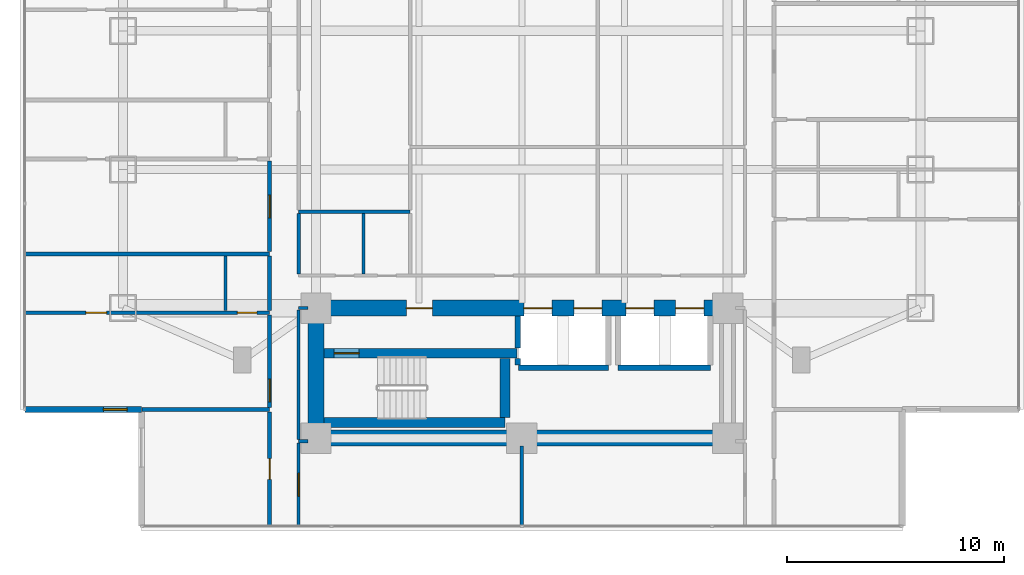
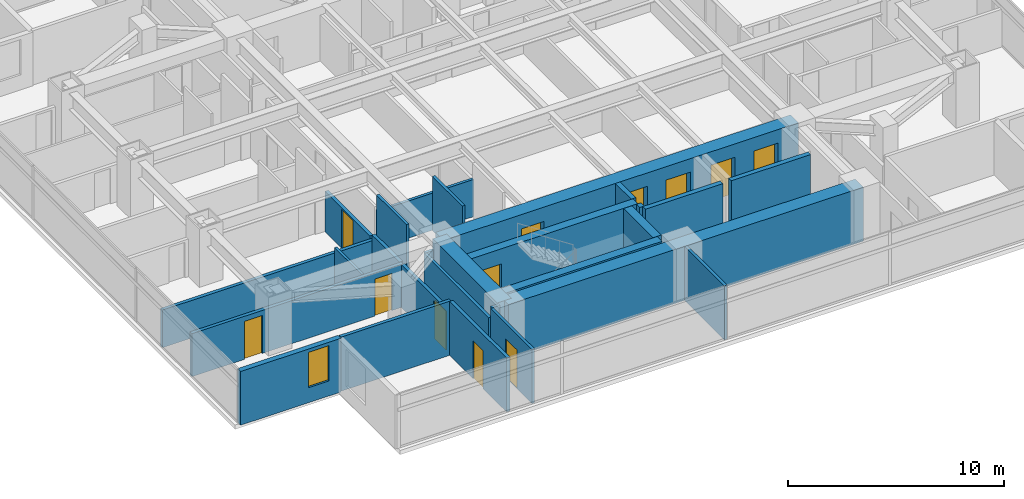
# One storey, part 14 of 26: 27 walls, 12 doors, 1 window, 13 openings.
"""IFC4 building model written with IfcOpenShell, lengths in metres."""

import ifcopenshell
import ifcopenshell.guid

model = None  # the IFC model being written
_history = None  # IfcOwnerHistory: only IFC2X3 demands one
_inside = {}  # id of a spatial element -> (the spatial element, [elements in it])
_under = {}  # id of a project, library or spatial element -> (it, [spatial elements below it])
_declared = {}  # id of a project -> (the project, [libraries it declares])
_typed = {}  # id of a type object -> (the type object, [elements of that type])
_made_of = {}  # id of a material, layer set ... -> (it, [elements and type objects made of it])


def new_model(schema):
    """Start an empty IFC model of exactly this schema.

    Asked for "IFC4X3", IfcOpenShell would pick the latest addendum, in which some entities
    have other attributes; the version numbers below select the first issue.
    IFC2X3 requires an IfcOwnerHistory on every rooted entity: one is made here for all.
    """
    global model, _history
    if schema == "IFC4X3":
        model = ifcopenshell.file(schema_version=(4, 3, 0, 0))
    else:
        model = ifcopenshell.file(schema=schema)
    _inside.clear()
    _under.clear()
    _declared.clear()
    _typed.clear()
    _made_of.clear()
    _history = None
    if model.schema == "IFC2X3":
        org = make("IfcOrganization", Name="unknown")
        user = make(
            "IfcPersonAndOrganization",
            ThePerson=make("IfcPerson", FamilyName="unknown"),
            TheOrganization=org,
        )
        app = make(
            "IfcApplication",
            ApplicationDeveloper=org,
            Version="unknown",
            ApplicationFullName="unknown",
            ApplicationIdentifier="unknown",
        )
        _history = make(
            "IfcOwnerHistory",
            OwningUser=user,
            OwningApplication=app,
            ChangeAction="ADDED",
            CreationDate=0,
        )
    return model


def make(cls, **values):
    """One entity of the class cls with the attributes given. An attribute that is None is left unset."""
    return model.create_entity(
        cls, **{name: value for name, value in values.items() if value is not None}
    )


def rooted(cls, **values):
    """An entity with a GlobalId (a new one), such as an element, a storey or a relation."""
    return make(cls, GlobalId=ifcopenshell.guid.new(), OwnerHistory=_history, **values)


def si_unit(unit_type, name, prefix=None):
    """IfcSIUnit, for example si_unit("LENGTHUNIT", "METRE", prefix="MILLI")."""
    return make("IfcSIUnit", UnitType=unit_type, Prefix=prefix, Name=name)


def assignment(units):
    """IfcUnitAssignment: the units of a project."""
    return None if units is None else make("IfcUnitAssignment", Units=units)


def point(xyz):
    """IfcCartesianPoint."""
    return None if xyz is None else make("IfcCartesianPoint", Coordinates=xyz)


def direction(xyz):
    """IfcDirection."""
    return None if xyz is None else make("IfcDirection", DirectionRatios=xyz)


def frame(location, z_axis=None, x_axis=None):
    """IfcAxis2Placement3D, a coordinate frame: its origin and axes. An axis left out is left unset."""
    return make(
        "IfcAxis2Placement3D",
        Location=point(location),
        Axis=direction(z_axis),
        RefDirection=direction(x_axis),
    )


def frame_2d(location, x_axis=None):
    """IfcAxis2Placement2D, a coordinate frame in the plane: its origin and x axis."""
    return make(
        "IfcAxis2Placement2D", Location=point(location), RefDirection=direction(x_axis)
    )


def origin():
    """The frame at (0, 0, 0) with its axes left unset."""
    return frame((0.0, 0.0, 0.0))


def place(relative_to, where):
    """IfcLocalPlacement: puts the frame where relative to a parent placement (None: the world)."""
    return make(
        "IfcLocalPlacement", PlacementRelTo=relative_to, RelativePlacement=where
    )


def context(
    kind, dimensions, precision=None, world=None, true_north=None, identifier=None
):
    """IfcGeometricRepresentationContext, for example the 3D "Model" context."""
    return make(
        "IfcGeometricRepresentationContext",
        ContextIdentifier=identifier,
        ContextType=kind,
        CoordinateSpaceDimension=dimensions,
        Precision=precision,
        WorldCoordinateSystem=world,
        TrueNorth=true_north,
    )


def subcontext(parent, identifier, kind, view, scale=None):
    """IfcGeometricRepresentationSubContext, for example "Body" below "Model"."""
    return make(
        "IfcGeometricRepresentationSubContext",
        ContextIdentifier=identifier,
        ContextType=kind,
        ParentContext=parent,
        TargetScale=scale,
        TargetView=view,
    )


def project(units=None, contexts=None):
    """IfcProject with its units and contexts."""
    return rooted(
        "IfcProject",
        Name="project",
        RepresentationContexts=contexts,
        UnitsInContext=assignment(units),
    )


def spatial(cls, under=None, at=None, **own):
    """A site, building, storey or space (cls), placed at a placement, below another one or the project."""
    s = rooted(cls, ObjectPlacement=at, **own)
    if under is not None:
        _under.setdefault(under.id(), (under, []))[1].append(s)
    return s


def profile(cls, at=None, kind="AREA", **sizes):
    """A parametric profile (cls). Its sizes go by their IFC names, for example OverallWidth=200.0."""
    return make(cls, ProfileType=kind, Position=at, **sizes)


def rectangle(**sizes):
    """IfcRectangleProfileDef."""
    return profile("IfcRectangleProfileDef", **sizes)


def extrude(swept, where, along, depth):
    """IfcExtrudedAreaSolid: the profile swept, set in the frame where, extruded along a direction by depth."""
    return make(
        "IfcExtrudedAreaSolid",
        SweptArea=swept,
        Position=where,
        ExtrudedDirection=direction(along),
        Depth=depth,
    )


def shape(context_of_items, identifier, shape_type, items):
    """IfcShapeRepresentation: the items that make up one representation, for example the "Body"."""
    return make(
        "IfcShapeRepresentation",
        ContextOfItems=context_of_items,
        RepresentationIdentifier=identifier,
        RepresentationType=shape_type,
        Items=items,
    )


def material(Name=None, Category=None):
    """IfcMaterial."""
    return make("IfcMaterial", Name=Name, Category=Category)


def layer(
    of_material, thickness, ventilated=None, Name=None, Category=None, Priority=None
):
    """IfcMaterialLayer: one layer of a wall or slab, of a material (None: an air gap)."""
    return make(
        "IfcMaterialLayer",
        Material=of_material,
        LayerThickness=thickness,
        IsVentilated=ventilated,
        Name=Name,
        Category=Category,
        Priority=Priority,
    )


def layer_set(layers, Name=None):
    """IfcMaterialLayerSet."""
    return make("IfcMaterialLayerSet", MaterialLayers=layers, LayerSetName=Name)


def made_of(thing, what):
    """Note that an element or type object is made of a material, layer set ...; save() writes the relation."""
    if what is not None:
        _made_of.setdefault(what.id(), (what, []))[1].append(thing)
    return thing


def type_object(cls, material=None, **own):
    """A type object (cls), such as IfcWallType, which elements share."""
    return made_of(rooted(cls, **own), material)


def element(
    cls,
    number,
    at=None,
    inside=None,
    cuts=None,
    type_object=None,
    material=None,
    context=None,
    identifier="Body",
    shape_type=None,
    held_by="IfcProductDefinitionShape",
    body=None,
    shapes=None,
    **own,
):
    """One element of the class cls, such as IfcWall. Its Tag is "e" and its number.

    at: its placement. inside: the storey or other place that contains it. cuts: it is an
    opening in that element (IfcRelVoidsElement). A single representation is given by context,
    identifier, shape_type and body (its items); several are given by shapes. held_by: the class
    of the entity that holds the representations. save() writes the other relations.
    """
    e = rooted(cls, Tag="e%d" % number, ObjectPlacement=at, **own)
    if body is not None:
        shapes = [shape(context, identifier, shape_type, body)]
    if shapes is not None:
        e.Representation = make(held_by, Representations=shapes)
    if inside is not None:
        _inside.setdefault(inside.id(), (inside, []))[1].append(e)
    if cuts is not None:
        rooted(
            "IfcRelVoidsElement", RelatingBuildingElement=cuts, RelatedOpeningElement=e
        )
    if type_object is not None:
        _typed.setdefault(type_object.id(), (type_object, []))[1].append(e)
    return made_of(e, material)


def fill(opening, filler):
    """IfcRelFillsElement: the door or window that sits in an opening."""
    return rooted(
        "IfcRelFillsElement",
        RelatingOpeningElement=opening,
        RelatedBuildingElement=filler,
    )


def aggregate(whole, parts):
    """IfcRelAggregates: a whole, such as a stair, and the parts it consists of."""
    return rooted("IfcRelAggregates", RelatingObject=whole, RelatedObjects=parts)


def save(model, path):
    """Write the relations noted so far, then the file.

    IfcRelAggregates (storeys below a building ...), IfcRelContainedInSpatialStructure (elements
    in a storey), IfcRelDefinesByType, IfcRelAssociatesMaterial and IfcRelDeclares: one each for
    every whole, place, type object, material and project.
    """
    for whole, parts in _under.values():
        aggregate(whole, parts)
    for where, things in _inside.values():
        rooted(
            "IfcRelContainedInSpatialStructure",
            RelatedElements=things,
            RelatingStructure=where,
        )
    for kind, things in _typed.values():
        rooted("IfcRelDefinesByType", RelatedObjects=things, RelatingType=kind)
    for what, things in _made_of.values():
        rooted("IfcRelAssociatesMaterial", RelatedObjects=things, RelatingMaterial=what)
    for by, libraries in _declared.values():
        rooted("IfcRelDeclares", RelatingContext=by, RelatedDefinitions=libraries)
    model.write(path)


model = new_model("IFC4")

# Units and contexts
model_context = context("Model", 3, precision=1e-05, world=origin(), true_north=direction((0.0, 1.0)))
body_context = subcontext(model_context, "Body", "Model", "MODEL_VIEW")
ifc_project = project(units=[si_unit("LENGTHUNIT", "METRE"), si_unit("AREAUNIT", "SQUARE_METRE"), si_unit("VOLUMEUNIT", "CUBIC_METRE"), si_unit("PLANEANGLEUNIT", "RADIAN"), si_unit("MASSUNIT", "GRAM", prefix="KILO")], contexts=[model_context])

# Site, building, storey
site_placement = place(None, origin())
site = spatial("IfcSite", under=ifc_project, at=site_placement, CompositionType="ELEMENT")
building_placement = place(site_placement, origin())
building = spatial("IfcBuilding", under=site, at=building_placement, Name="Mirazonda Arch Towers", CompositionType="ELEMENT")
storey_placement = place(building_placement, frame((0.0, 0.0, 45.5)))
storey = spatial("IfcBuildingStorey", under=building, at=storey_placement, Name="L12", CompositionType="ELEMENT", Elevation=45.5)

# Wall
ifc_material_1 = material(Name="Concrete C50/60", Category="concrete")
ifc_layer_1 = layer(ifc_material_1, 0.449951171875, Name="WALL-CORE-450")
ifc_layer_set_1 = layer_set([ifc_layer_1], Name="Concrete C50/60")
wall_type_1 = type_object("IfcWallType", Name="WALL-CORE-450", PredefinedType="SHEAR", material=ifc_layer_set_1)
wall_1_placement = place(storey_placement, frame((11.3701171875, 13.1201171875, 0.0), z_axis=(0.0, 0.0, 1.0), x_axis=(1.0, 0.0, 0.0)))
element("IfcWall", 1, at=wall_1_placement, inside=storey, type_object=wall_type_1, Name="L12 Stair Core Shear Wall 003", PredefinedType="SHEAR", context=body_context, shape_type="SweptSolid", body=[
    extrude(rectangle(XDim=8.35986328125, YDim=0.449951171875, at=frame_2d((4.179931640625, 0.0))), origin(), (0.0, 0.0, 1.0), 3.06005859375),
])

# Wall, opening, door
wall_2_placement = place(storey_placement, frame((11.3701171875, 16.320068359375, 0.0), z_axis=(0.0, 0.0, 1.0), x_axis=(1.0, 0.0, 0.0)))
wall_2 = element("IfcWall", 2, at=wall_2_placement, inside=storey, type_object=wall_type_1, Name="L12 Stair Core Shear Wall 010", PredefinedType="SHEAR", context=body_context, shape_type="SweptSolid", body=[
    extrude(rectangle(XDim=8.909912109375, YDim=0.449951171875, at=frame_2d((4.455078125, 0.0))), origin(), (0.0, 0.0, 1.0), 3.06005859375),
])
opening_1_placement = place(wall_2_placement, frame((0.469970703125, 0.0, 0.0)))
opening_1 = element("IfcOpeningElement", 3, at=opening_1_placement, cuts=wall_2, Name="Opening DR-135", PredefinedType="OPENING", context=body_context, shape_type="SweptSolid", body=[
    extrude(rectangle(XDim=1.14990234375, YDim=2.199951171875, at=frame_2d((0.574951171875, 1.10009765625))), frame((0.0, 0.23486328125, 0.0), z_axis=(0.0, -1.0, 0.0), x_axis=(1.0, 0.0, 0.0)), (0.0, 0.0, 1.0), 0.469970703125),
])
ifc_material_2 = material(Name="Architectural Brushed Steel S355", Category="steel")
door_type_1 = type_object("IfcDoorType", Name="DOOR-STAIR-FD90-1150", OperationType="NOTDEFINED", PredefinedType="DOOR", material=ifc_material_2)
door_1_placement = place(opening_1_placement, origin())
door_1 = element("IfcDoor", 4, at=door_1_placement, inside=storey, type_object=door_type_1, Name="L12 Protected Exit Stair South Door", OperationType="SINGLE_SWING_RIGHT", OverallHeight=2.199951171875, OverallWidth=1.14990234375, PredefinedType="DOOR", context=body_context, shape_type="SweptSolid", body=[
    extrude(rectangle(XDim=1.14990234375, YDim=2.199951171875, at=frame_2d((0.574951171875, 1.10009765625))), frame((0.0, 0.02490234375, 0.0), z_axis=(0.0, -1.0, 0.0), x_axis=(1.0, 0.0, 0.0)), (0.0, 0.0, 1.0), 0.050048828125),
])
fill(opening_1, door_1)

# Walls
wall_3_placement = place(storey_placement, frame((19.72998046875, 13.35498046875, 0.0), z_axis=(0.0, 0.0, 1.0), x_axis=(0.0, 1.0, 0.0)))
element("IfcWall", 5, at=wall_3_placement, inside=storey, type_object=wall_type_1, Name="L12 Stair Core Shear Wall 092", PredefinedType="SHEAR", context=body_context, shape_type="SweptSolid", body=[
    extrude(rectangle(XDim=2.72998046875, YDim=0.449951171875, at=frame_2d((1.364990234375, 0.0))), origin(), (0.0, 0.0, 1.0), 3.06005859375),
])
ifc_material_3 = material(Name="Concrete C60/75", Category="concrete")
ifc_layer_2 = layer(ifc_material_3, 0.75, Name="WALL-CORE-750")
ifc_layer_set_2 = layer_set([ifc_layer_2], Name="Concrete C60/75")
wall_type_2 = type_object("IfcWallType", Name="WALL-CORE-750", PredefinedType="SHEAR", material=ifc_layer_set_2)
wall_4_placement = place(storey_placement, frame((11.0, 12.39990234375, 0.0), z_axis=(0.0, 0.0, 1.0), x_axis=(1.0, 0.0, 0.0)))
element("IfcWall", 6, at=wall_4_placement, inside=storey, type_object=wall_type_2, Name="L12 T1S-S Core Shear Wall", PredefinedType="SHEAR", context=body_context, shape_type="SweptSolid", body=[
    extrude(rectangle(XDim=19.0, YDim=0.75, at=frame_2d((9.5, 0.0))), origin(), (0.0, 0.0, 1.0), 3.06005859375),
])
wall_5_placement = place(storey_placement, frame((11.0, 12.39990234375, 0.0), z_axis=(0.0, 0.0, 1.0), x_axis=(0.0, 1.0, 0.0)))
element("IfcWall", 7, at=wall_5_placement, inside=storey, type_object=wall_type_2, Name="L12 T1S-W Core Shear Wall", PredefinedType="SHEAR", context=body_context, shape_type="SweptSolid", body=[
    extrude(rectangle(XDim=6.0, YDim=0.75, at=frame_2d((3.0, 0.0))), origin(), (0.0, 0.0, 1.0), 3.06005859375),
])

# Wall, openings, doors
wall_6_placement = place(storey_placement, frame((11.0, 18.39990234375, 0.0), z_axis=(0.0, 0.0, 1.0), x_axis=(1.0, 0.0, 0.0)))
wall_6 = element("IfcWall", 8, at=wall_6_placement, inside=storey, type_object=wall_type_2, Name="L12 T1S-N Core Shear Wall", PredefinedType="SHEAR", context=body_context, shape_type="SweptSolid", body=[
    extrude(rectangle(XDim=19.0, YDim=0.75, at=frame_2d((9.5, 0.0))), origin(), (0.0, 0.0, 1.0), 3.06005859375),
])
opening_2_placement = place(wall_6_placement, frame((4.175048828125, 0.0, 0.0)))
opening_2 = element("IfcOpeningElement", 9, at=opening_2_placement, cuts=wall_6, Name="Opening DR-117", PredefinedType="OPENING", context=body_context, shape_type="SweptSolid", body=[
    extrude(rectangle(XDim=1.199951171875, YDim=2.25, at=frame_2d((0.60009765625, 1.125))), frame((0.0, 0.385009765625, 0.0), z_axis=(0.0, -1.0, 0.0), x_axis=(1.0, 0.0, 0.0)), (0.0, 0.0, 1.0), 0.77001953125),
])
opening_3_placement = place(wall_6_placement, frame((9.60009765625, 0.0, 0.0)))
opening_3 = element("IfcOpeningElement", 10, at=opening_3_placement, cuts=wall_6, Name="Opening LD-111", PredefinedType="OPENING", context=body_context, shape_type="SweptSolid", body=[
    extrude(rectangle(XDim=1.300048828125, YDim=2.300048828125, at=frame_2d((0.64990234375, 1.14990234375))), frame((0.0, 0.385009765625, 0.0), z_axis=(0.0, -1.0, 0.0), x_axis=(1.0, 0.0, 0.0)), (0.0, 0.0, 1.0), 0.77001953125),
])
opening_4_placement = place(wall_6_placement, frame((11.89990234375, 0.0, 0.0)))
opening_4 = element("IfcOpeningElement", 11, at=opening_4_placement, cuts=wall_6, Name="Opening LD-111", PredefinedType="OPENING", context=body_context, shape_type="SweptSolid", body=[
    extrude(rectangle(XDim=1.300048828125, YDim=2.300048828125, at=frame_2d((0.64990234375, 1.14990234375))), frame((0.0, 0.385009765625, 0.0), z_axis=(0.0, -1.0, 0.0), x_axis=(1.0, 0.0, 0.0)), (0.0, 0.0, 1.0), 0.77001953125),
])
opening_5_placement = place(wall_6_placement, frame((14.300048828125, 0.0, 0.0)))
opening_5 = element("IfcOpeningElement", 12, at=opening_5_placement, cuts=wall_6, Name="Opening LD-111", PredefinedType="OPENING", context=body_context, shape_type="SweptSolid", body=[
    extrude(rectangle(XDim=1.300048828125, YDim=2.300048828125, at=frame_2d((0.64990234375, 1.14990234375))), frame((0.0, 0.385009765625, 0.0), z_axis=(0.0, -1.0, 0.0), x_axis=(1.0, 0.0, 0.0)), (0.0, 0.0, 1.0), 0.77001953125),
])
opening_6_placement = place(wall_6_placement, frame((16.60009765625, 0.0, 0.0)))
opening_6 = element("IfcOpeningElement", 13, at=opening_6_placement, cuts=wall_6, Name="Opening LD-111", PredefinedType="OPENING", context=body_context, shape_type="SweptSolid", body=[
    extrude(rectangle(XDim=1.300048828125, YDim=2.300048828125, at=frame_2d((0.64990234375, 1.14990234375))), frame((0.0, 0.385009765625, 0.0), z_axis=(0.0, -1.0, 0.0), x_axis=(1.0, 0.0, 0.0)), (0.0, 0.0, 1.0), 0.77001953125),
])
door_type_2 = type_object("IfcDoorType", Name="DOOR-FFL-FD90-1200", OperationType="NOTDEFINED", PredefinedType="DOOR", material=ifc_material_2)
door_2_placement = place(opening_2_placement, origin())
door_2 = element("IfcDoor", 14, at=door_2_placement, inside=storey, type_object=door_type_2, Name="L12 South Core Stair & Lift Lobby Door", OperationType="SINGLE_SWING_LEFT", OverallHeight=2.25, OverallWidth=1.199951171875, PredefinedType="DOOR", context=body_context, shape_type="SweptSolid", body=[
    extrude(rectangle(XDim=1.199951171875, YDim=2.25, at=frame_2d((0.60009765625, 1.125))), frame((0.0, 0.02490234375, 0.0), z_axis=(0.0, -1.0, 0.0), x_axis=(1.0, 0.0, 0.0)), (0.0, 0.0, 1.0), 0.050048828125),
])
fill(opening_2, door_2)
door_type_3 = type_object("IfcDoorType", Name="DOOR-LIFT-LAND-1300", OperationType="NOTDEFINED", PredefinedType="DOOR", material=ifc_material_2)
door_3_placement = place(opening_3_placement, origin())
door_3 = element("IfcDoor", 15, at=door_3_placement, inside=storey, type_object=door_type_3, Name="L12 Lift Landing Sliding Door PL-T1M1", OperationType="DOUBLE_DOOR_SLIDING", OverallHeight=2.300048828125, OverallWidth=1.300048828125, PredefinedType="DOOR", context=body_context, shape_type="SweptSolid", body=[
    extrude(rectangle(XDim=1.300048828125, YDim=2.300048828125, at=frame_2d((0.64990234375, 1.14990234375))), frame((0.0, 0.02490234375, 0.0), z_axis=(0.0, -1.0, 0.0), x_axis=(1.0, 0.0, 0.0)), (0.0, 0.0, 1.0), 0.050048828125),
])
fill(opening_3, door_3)
door_4_placement = place(opening_4_placement, origin())
door_4 = element("IfcDoor", 16, at=door_4_placement, inside=storey, type_object=door_type_3, Name="L12 Lift Landing Sliding Door PL-T1M2", OperationType="DOUBLE_DOOR_SLIDING", OverallHeight=2.300048828125, OverallWidth=1.300048828125, PredefinedType="DOOR", context=body_context, shape_type="SweptSolid", body=[
    extrude(rectangle(XDim=1.300048828125, YDim=2.300048828125, at=frame_2d((0.64990234375, 1.14990234375))), frame((0.0, 0.02490234375, 0.0), z_axis=(0.0, -1.0, 0.0), x_axis=(1.0, 0.0, 0.0)), (0.0, 0.0, 1.0), 0.050048828125),
])
fill(opening_4, door_4)
door_5_placement = place(opening_5_placement, origin())
door_5 = element("IfcDoor", 17, at=door_5_placement, inside=storey, type_object=door_type_3, Name="L12 Lift Landing Sliding Door PL-T1H1", OperationType="DOUBLE_DOOR_SLIDING", OverallHeight=2.300048828125, OverallWidth=1.300048828125, PredefinedType="DOOR", context=body_context, shape_type="SweptSolid", body=[
    extrude(rectangle(XDim=1.300048828125, YDim=2.300048828125, at=frame_2d((0.64990234375, 1.14990234375))), frame((0.0, 0.02490234375, 0.0), z_axis=(0.0, -1.0, 0.0), x_axis=(1.0, 0.0, 0.0)), (0.0, 0.0, 1.0), 0.050048828125),
])
fill(opening_5, door_5)
door_6_placement = place(opening_6_placement, origin())
door_6 = element("IfcDoor", 18, at=door_6_placement, inside=storey, type_object=door_type_3, Name="L12 Lift Landing Sliding Door PL-T1H2", OperationType="DOUBLE_DOOR_SLIDING", OverallHeight=2.300048828125, OverallWidth=1.300048828125, PredefinedType="DOOR", context=body_context, shape_type="SweptSolid", body=[
    extrude(rectangle(XDim=1.300048828125, YDim=2.300048828125, at=frame_2d((0.64990234375, 1.14990234375))), frame((0.0, 0.02490234375, 0.0), z_axis=(0.0, -1.0, 0.0), x_axis=(1.0, 0.0, 0.0)), (0.0, 0.0, 1.0), 0.050048828125),
])
fill(opening_6, door_6)

# Wall, opening, window
ifc_material_4 = material(Name="Precast Concrete C40/50", Category="concrete")
ifc_layer_3 = layer(ifc_material_4, 0.280029296875, Name="WALL-EXT-WALL-280")
ifc_layer_set_3 = layer_set([ifc_layer_3], Name="Precast Concrete C40/50")
wall_type_3 = type_object("IfcWallType", Name="WALL-EXT-WALL-280", PredefinedType="SOLIDWALL", material=ifc_layer_set_3)
wall_7_placement = place(storey_placement, frame((-2.43994140625, 13.714111328125, 0.0), z_axis=(0.0, 0.0, 1.0), x_axis=(1.0, 0.0, 0.0)))
wall_7 = element("IfcWall", 19, at=wall_7_placement, inside=storey, type_object=wall_type_3, Name="L12 T1 Corner Notch Return Wall WL-L12-T1-CSW2", PredefinedType="SOLIDWALL", context=body_context, shape_type="SweptSolid", body=[
    extrude(rectangle(XDim=5.3798828125, YDim=0.280029296875, at=frame_2d((2.68994140625, 0.0))), origin(), (0.0, 0.0, 1.0), 3.0400390625),
])
opening_7_placement = place(wall_7_placement, frame((3.6298828125, 0.0, 0.85009765625)))
opening_7 = element("IfcOpeningElement", 20, at=opening_7_placement, cuts=wall_7, Name="Opening WN-108", PredefinedType="OPENING", context=body_context, shape_type="SweptSolid", body=[
    extrude(rectangle(XDim=1.10009765625, YDim=2.0, at=frame_2d((0.550048828125, 1.0))), frame((0.0, 0.14990234375, 0.0), z_axis=(0.0, -1.0, 0.0), x_axis=(1.0, 0.0, 0.0)), (0.0, 0.0, 1.0), 0.300048828125),
])
ifc_material_5 = material(Name="Insulated Low-E Solar Glass", Category="glass")
window_type = type_object("IfcWindowType", Name="WIN-NOTCH-1100x2000", PartitioningType="SINGLE_PANEL", PredefinedType="WINDOW", material=ifc_material_5)
window_placement = place(opening_7_placement, origin())
window = element("IfcWindow", 21, at=window_placement, inside=storey, type_object=window_type, Name="L12 Punched Facade Window WN-L12-T1-CSW2", OverallHeight=2.0, OverallWidth=1.10009765625, PartitioningType="SINGLE_PANEL", PredefinedType="WINDOW", context=body_context, shape_type="SweptSolid", body=[
    extrude(rectangle(XDim=1.10009765625, YDim=2.0, at=frame_2d((0.550048828125, 1.0))), frame((0.0, 0.030029296875, 0.0), z_axis=(0.0, -1.0, 0.0), x_axis=(1.0, 0.0, 0.0)), (0.0, 0.0, 1.0), 0.06005859375),
])
fill(opening_7, window)

# Walls
ifc_material_6 = material(Name="Fire-Rated Gypsum Stud Partition")
ifc_layer_4 = layer(ifc_material_6, 0.14990234375, Name="WALL-PART-CORR-150")
ifc_layer_set_4 = layer_set([ifc_layer_4], Name="Fire-Rated Gypsum Stud Partition")
wall_type_4 = type_object("IfcWallType", Name="WALL-PART-CORR-150", PredefinedType="PARTITIONING", material=ifc_layer_set_4)
wall_8_placement = place(storey_placement, frame((10.199951171875, 12.25, 0.0), z_axis=(0.0, 0.0, 1.0), x_axis=(1.0, 0.0, 0.0)))
element("IfcWall", 22, at=wall_8_placement, inside=storey, type_object=wall_type_4, Name="L12 Interior Partition 001", PredefinedType="PARTITIONING", context=body_context, shape_type="SweptSolid", body=[
    extrude(rectangle(XDim=0.429931640625, YDim=0.14990234375, at=frame_2d((0.21484375, 0.0))), origin(), (0.0, 0.0, 1.0), 3.06005859375),
])
wall_9_placement = place(storey_placement, frame((10.199951171875, 18.39990234375, 0.0), z_axis=(0.0, 0.0, 1.0), x_axis=(1.0, 0.0, 0.0)))
element("IfcWall", 23, at=wall_9_placement, inside=storey, type_object=wall_type_4, Name="L12 Interior Partition 013", PredefinedType="PARTITIONING", context=body_context, shape_type="SweptSolid", body=[
    extrude(rectangle(XDim=0.429931640625, YDim=0.14990234375, at=frame_2d((0.21484375, 0.0))), origin(), (0.0, 0.0, 1.0), 2.43603515625),
])
wall_10_placement = place(storey_placement, frame((10.199951171875, 22.85009765625, 0.0), z_axis=(0.0, 0.0, 1.0), x_axis=(1.0, 0.0, 0.0)))
element("IfcWall", 24, at=wall_10_placement, inside=storey, type_object=wall_type_4, Name="L12 Interior Partition 024", PredefinedType="PARTITIONING", context=body_context, shape_type="SweptSolid", body=[
    extrude(rectangle(XDim=5.150146484375, YDim=0.14990234375, at=frame_2d((2.5751953125, 0.0))), origin(), (0.0, 0.0, 1.0), 2.10400390625),
])

# Wall, opening, door
wall_11_placement = place(storey_placement, frame((10.199951171875, 8.333984375, 0.0), z_axis=(0.0, 0.0, 1.0), x_axis=(0.0, 1.0, 0.0)))
wall_11 = element("IfcWall", 25, at=wall_11_placement, inside=storey, type_object=wall_type_4, Name="L12 Interior Partition 079", PredefinedType="PARTITIONING", context=body_context, shape_type="SweptSolid", body=[
    extrude(rectangle(XDim=3.8310546875, YDim=0.14990234375, at=frame_2d((1.91552734375, 0.0))), origin(), (0.0, 0.0, 1.0), 3.06005859375),
])
opening_8_placement = place(wall_11_placement, frame((1.390380859375, 0.0, 0.0)))
opening_8 = element("IfcOpeningElement", 26, at=opening_8_placement, cuts=wall_11, Name="Opening DR-121", PredefinedType="OPENING", context=body_context, shape_type="SweptSolid", body=[
    extrude(rectangle(XDim=1.050048828125, YDim=2.199951171875, at=frame_2d((0.52490234375, 1.10009765625))), frame((0.0, 0.0849609375, 0.0), z_axis=(0.0, -1.0, 0.0), x_axis=(1.0, 0.0, 0.0)), (0.0, 0.0, 1.0), 0.169921875),
])
door_type_4 = type_object("IfcDoorType", Name="DOOR-SUITE-FD60-1050", OperationType="NOTDEFINED", PredefinedType="DOOR", material=ifc_material_2)
door_7_placement = place(opening_8_placement, origin())
door_7 = element("IfcDoor", 27, at=door_7_placement, inside=storey, type_object=door_type_4, Name="L12 South Panoramic Study West Door", OperationType="SINGLE_SWING_LEFT", OverallHeight=2.199951171875, OverallWidth=1.050048828125, PredefinedType="DOOR", context=body_context, shape_type="SweptSolid", body=[
    extrude(rectangle(XDim=1.050048828125, YDim=2.199951171875, at=frame_2d((0.52490234375, 1.10009765625))), frame((0.0, 0.02490234375, 0.0), z_axis=(0.0, -1.0, 0.0), x_axis=(1.0, 0.0, 0.0)), (0.0, 0.0, 1.0), 0.050048828125),
])
fill(opening_8, door_7)

# Walls
wall_12_placement = place(storey_placement, frame((10.199951171875, 12.3349609375, 0.0), z_axis=(0.0, 0.0, 1.0), x_axis=(0.0, 1.0, 0.0)))
element("IfcWall", 28, at=wall_12_placement, inside=storey, type_object=wall_type_4, Name="L12 Interior Partition 080", PredefinedType="PARTITIONING", context=body_context, shape_type="SweptSolid", body=[
    extrude(rectangle(XDim=5.97998046875, YDim=0.14990234375, at=frame_2d((2.989990234375, 0.0))), origin(), (0.0, 0.0, 1.0), 2.43603515625),
])
for number, where, z_axis, x_axis, name in (
    (29, (10.206787109375, 19.985107421875, 0.0), (0.0, 0.0, 1.0), (0.0, 1.0, 0.0), "L12 Interior Partition 081"),
    (30, (13.199951171875, 19.985107421875, 0.0), (0.0, 0.0, 1.0), (0.0, 1.0, 0.0), "L12 Interior Partition 086"),
):
    element("IfcWall", number, at=place(storey_placement, frame(where, z_axis=z_axis, x_axis=x_axis)), inside=storey, type_object=wall_type_4, Name=name, PredefinedType="PARTITIONING", context=body_context, shape_type="SweptSolid", body=[
        extrude(rectangle(XDim=2.77978515625, YDim=0.14990234375, at=frame_2d((1.389892578125, 0.0))), origin(), (0.0, 0.0, 1.0), 3.06005859375),
    ])
wall_13_placement = place(storey_placement, frame((20.5, 8.333984375, 0.0), z_axis=(0.0, 0.0, 1.0), x_axis=(0.0, 1.0, 0.0)))
element("IfcWall", 31, at=wall_13_placement, inside=storey, type_object=wall_type_4, Name="L12 Interior Partition 096", PredefinedType="PARTITIONING", context=body_context, shape_type="SweptSolid", body=[
    extrude(rectangle(XDim=3.696044921875, YDim=0.14990234375, at=frame_2d((1.84814453125, 0.0))), origin(), (0.0, 0.0, 1.0), 3.06005859375),
])
ifc_material_7 = material(Name="Fire-Rated Gypsum Twin-Stud Assembly")
ifc_layer_5 = layer(ifc_material_7, 0.179931640625, Name="WALL-PART-DEMISE-180")
ifc_layer_set_5 = layer_set([ifc_layer_5], Name="Fire-Rated Gypsum Twin-Stud Assembly")
wall_type_5 = type_object("IfcWallType", Name="WALL-PART-DEMISE-180", PredefinedType="PARTITIONING", material=ifc_layer_set_5)
wall_14_placement = place(storey_placement, frame((2.9599609375, 13.714111328125, 0.0), z_axis=(0.0, 0.0, 1.0), x_axis=(1.0, 0.0, 0.0)))
element("IfcWall", 32, at=wall_14_placement, inside=storey, type_object=wall_type_5, Name="L12 Interior Partition 004", PredefinedType="PARTITIONING", context=body_context, shape_type="SweptSolid", body=[
    extrude(rectangle(XDim=5.900146484375, YDim=0.179931640625, at=frame_2d((2.9501953125, 0.0))), origin(), (0.0, 0.0, 1.0), 3.06005859375),
])

# Wall, openings, doors
wall_15_placement = place(storey_placement, frame((-2.43994140625, 18.18505859375, 0.0), z_axis=(0.0, 0.0, 1.0), x_axis=(1.0, 0.0, 0.0)))
wall_15 = element("IfcWall", 33, at=wall_15_placement, inside=storey, type_object=wall_type_5, Name="L12 Interior Partition 012", PredefinedType="PARTITIONING", context=body_context, shape_type="SweptSolid", body=[
    extrude(rectangle(XDim=11.300048828125, YDim=0.179931640625, at=frame_2d((5.64990234375, 0.0))), origin(), (0.0, 0.0, 1.0), 2.43603515625),
])
opening_9_placement = place(wall_15_placement, frame((2.824951171875, 0.0, 0.0)))
opening_9 = element("IfcOpeningElement", 34, at=opening_9_placement, cuts=wall_15, Name="Opening DR-104", PredefinedType="OPENING", context=body_context, shape_type="SweptSolid", body=[
    extrude(rectangle(XDim=0.949951171875, YDim=2.14990234375, at=frame_2d((0.47509765625, 1.074951171875))), frame((0.0, 0.099853515625, 0.0), z_axis=(0.0, -1.0, 0.0), x_axis=(1.0, 0.0, 0.0)), (0.0, 0.0, 1.0), 0.199951171875),
])
opening_10_placement = place(wall_15_placement, frame((9.81005859375, 0.0, 0.0)))
opening_10 = element("IfcOpeningElement", 35, at=opening_10_placement, cuts=wall_15, Name="Opening DR-120", PredefinedType="OPENING", context=body_context, shape_type="SweptSolid", body=[
    extrude(rectangle(XDim=0.89990234375, YDim=2.10009765625, at=frame_2d((0.449951171875, 1.050048828125))), frame((0.0, 0.099853515625, 0.0), z_axis=(0.0, -1.0, 0.0), x_axis=(1.0, 0.0, 0.0)), (0.0, 0.0, 1.0), 0.199951171875),
])
door_type_5 = type_object("IfcDoorType", Name="DOOR-ROOM-950", OperationType="NOTDEFINED", PredefinedType="DOOR", material=ifc_material_2)
door_8_placement = place(opening_9_placement, origin())
door_8 = element("IfcDoor", 36, at=door_8_placement, inside=storey, type_object=door_type_5, Name="L12 Studio 1 Galley Kitchen Door", OperationType="SINGLE_SWING_LEFT", OverallHeight=2.14990234375, OverallWidth=0.949951171875, PredefinedType="DOOR", context=body_context, shape_type="SweptSolid", body=[
    extrude(rectangle(XDim=0.949951171875, YDim=2.14990234375, at=frame_2d((0.47509765625, 1.074951171875))), frame((0.0, 0.02490234375, 0.0), z_axis=(0.0, -1.0, 0.0), x_axis=(1.0, 0.0, 0.0)), (0.0, 0.0, 1.0), 0.050048828125),
])
fill(opening_9, door_8)
door_type_6 = type_object("IfcDoorType", Name="DOOR-WC-900", OperationType="NOTDEFINED", PredefinedType="DOOR", material=ifc_material_2)
door_9_placement = place(opening_10_placement, origin())
door_9 = element("IfcDoor", 37, at=door_9_placement, inside=storey, type_object=door_type_6, Name="L12 Studio 1 Bathroom Door", OperationType="SINGLE_SWING_RIGHT", OverallHeight=2.10009765625, OverallWidth=0.89990234375, PredefinedType="DOOR", context=body_context, shape_type="SweptSolid", body=[
    extrude(rectangle(XDim=0.89990234375, YDim=2.10009765625, at=frame_2d((0.449951171875, 1.050048828125))), frame((0.0, 0.02490234375, 0.0), z_axis=(0.0, -1.0, 0.0), x_axis=(1.0, 0.0, 0.0)), (0.0, 0.0, 1.0), 0.050048828125),
])
fill(opening_10, door_9)

# Wall
wall_16_placement = place(storey_placement, frame((-2.43994140625, 20.905029296875, 0.0), z_axis=(0.0, 0.0, 1.0), x_axis=(1.0, 0.0, 0.0)))
element("IfcWall", 38, at=wall_16_placement, inside=storey, type_object=wall_type_5, Name="L12 Interior Partition 019", PredefinedType="PARTITIONING", context=body_context, shape_type="SweptSolid", body=[
    extrude(rectangle(XDim=11.300048828125, YDim=0.179931640625, at=frame_2d((5.64990234375, 0.0))), origin(), (0.0, 0.0, 1.0), 2.125),
])

# Wall, opening, door
wall_17_placement = place(storey_placement, frame((8.860107421875, 8.333984375, 0.0), z_axis=(0.0, 0.0, 1.0), x_axis=(0.0, 1.0, 0.0)))
wall_17 = element("IfcWall", 39, at=wall_17_placement, inside=storey, type_object=wall_type_5, Name="L12 Interior Partition 069", PredefinedType="PARTITIONING", context=body_context, shape_type="SweptSolid", body=[
    extrude(rectangle(XDim=5.280029296875, YDim=0.179931640625, at=frame_2d((2.64013671875, 0.0))), origin(), (0.0, 0.0, 1.0), 3.06005859375),
])
opening_11_placement = place(wall_17_placement, frame((2.1650390625, 0.0, 0.0)))
opening_11 = element("IfcOpeningElement", 40, at=opening_11_placement, cuts=wall_17, Name="Opening DR-104", PredefinedType="OPENING", context=body_context, shape_type="SweptSolid", body=[
    extrude(rectangle(XDim=0.949951171875, YDim=2.14990234375, at=frame_2d((0.47509765625, 1.074951171875))), frame((0.0, 0.099853515625, 0.0), z_axis=(0.0, -1.0, 0.0), x_axis=(1.0, 0.0, 0.0)), (0.0, 0.0, 1.0), 0.199951171875),
])
door_10_placement = place(opening_11_placement, origin())
door_10 = element("IfcDoor", 41, at=door_10_placement, inside=storey, type_object=door_type_5, Name="L12 South Panoramic Study Alcove West Door", OperationType="SINGLE_SWING_LEFT", OverallHeight=2.14990234375, OverallWidth=0.949951171875, PredefinedType="DOOR", context=body_context, shape_type="SweptSolid", body=[
    extrude(rectangle(XDim=0.949951171875, YDim=2.14990234375, at=frame_2d((0.47509765625, 1.074951171875))), frame((0.0, 0.02490234375, 0.0), z_axis=(0.0, -1.0, 0.0), x_axis=(1.0, 0.0, 0.0)), (0.0, 0.0, 1.0), 0.050048828125),
])
fill(opening_11, door_10)

wall_18_placement = place(storey_placement, frame((8.860107421875, 13.81396484375, 0.0), z_axis=(0.0, 0.0, 1.0), x_axis=(0.0, 1.0, 0.0)))
wall_18 = element("IfcWall", 42, at=wall_18_placement, inside=storey, type_object=wall_type_5, Name="L12 Interior Partition 070", PredefinedType="PARTITIONING", context=body_context, shape_type="SweptSolid", body=[
    extrude(rectangle(XDim=4.27099609375, YDim=0.179931640625, at=frame_2d((2.135498046875, 0.0))), origin(), (0.0, 0.0, 1.0), 2.43603515625),
])
opening_12_placement = place(wall_18_placement, frame((0.260498046875, 0.0, 0.0)))
opening_12 = element("IfcOpeningElement", 43, at=opening_12_placement, cuts=wall_18, Name="Opening DR-121", PredefinedType="OPENING", context=body_context, shape_type="SweptSolid", body=[
    extrude(rectangle(XDim=1.050048828125, YDim=2.199951171875, at=frame_2d((0.52490234375, 1.10009765625))), frame((0.0, 0.099853515625, 0.0), z_axis=(0.0, -1.0, 0.0), x_axis=(1.0, 0.0, 0.0)), (0.0, 0.0, 1.0), 0.199951171875),
])
door_11_placement = place(opening_12_placement, origin())
door_11 = element("IfcDoor", 44, at=door_11_placement, inside=storey, type_object=door_type_4, Name="L12 Studio Apartment 1 Living Salon Door", OperationType="SINGLE_SWING_RIGHT", OverallHeight=2.199951171875, OverallWidth=1.050048828125, PredefinedType="DOOR", context=body_context, shape_type="SweptSolid", body=[
    extrude(rectangle(XDim=1.050048828125, YDim=2.199951171875, at=frame_2d((0.52490234375, 1.10009765625))), frame((0.0, 0.02490234375, 0.0), z_axis=(0.0, -1.0, 0.0), x_axis=(1.0, 0.0, 0.0)), (0.0, 0.0, 1.0), 0.050048828125),
])
fill(opening_12, door_11)

# Wall
wall_19_placement = place(storey_placement, frame((8.860107421875, 18.284912109375, 0.0), z_axis=(0.0, 0.0, 1.0), x_axis=(0.0, 1.0, 0.0)))
element("IfcWall", 45, at=wall_19_placement, inside=storey, type_object=wall_type_5, Name="L12 Interior Partition 071", PredefinedType="PARTITIONING", context=body_context, shape_type="SweptSolid", body=[
    extrude(rectangle(XDim=2.52001953125, YDim=0.179931640625, at=frame_2d((1.260009765625, 0.0))), origin(), (0.0, 0.0, 1.0), 2.451904296875),
])

# Wall, opening, door
wall_20_placement = place(storey_placement, frame((8.860107421875, 21.0048828125, 0.0), z_axis=(0.0, 0.0, 1.0), x_axis=(0.0, 1.0, 0.0)))
wall_20 = element("IfcWall", 46, at=wall_20_placement, inside=storey, type_object=wall_type_5, Name="L12 Interior Partition 072", PredefinedType="PARTITIONING", context=body_context, shape_type="SweptSolid", body=[
    extrude(rectangle(XDim=4.175048828125, YDim=0.179931640625, at=frame_2d((2.08740234375, 0.0))), origin(), (0.0, 0.0, 1.0), 2.279052734375),
])
opening_13_placement = place(wall_20_placement, frame((1.5625, 0.0, 0.0)))
opening_13 = element("IfcOpeningElement", 47, at=opening_13_placement, cuts=wall_20, Name="Opening DR-121", PredefinedType="OPENING", context=body_context, shape_type="SweptSolid", body=[
    extrude(rectangle(XDim=1.050048828125, YDim=2.199951171875, at=frame_2d((0.52490234375, 1.10009765625))), frame((0.0, 0.099853515625, 0.0), z_axis=(0.0, -1.0, 0.0), x_axis=(1.0, 0.0, 0.0)), (0.0, 0.0, 1.0), 0.199951171875),
])
door_12_placement = place(opening_13_placement, origin())
door_12 = element("IfcDoor", 48, at=door_12_placement, inside=storey, type_object=door_type_4, Name="L12 Studio Apartment 2 Living Salon Door", OperationType="SINGLE_SWING_LEFT", OverallHeight=2.199951171875, OverallWidth=1.050048828125, PredefinedType="DOOR", context=body_context, shape_type="SweptSolid", body=[
    extrude(rectangle(XDim=1.050048828125, YDim=2.199951171875, at=frame_2d((0.52490234375, 1.10009765625))), frame((0.0, 0.02490234375, 0.0), z_axis=(0.0, -1.0, 0.0), x_axis=(1.0, 0.0, 0.0)), (0.0, 0.0, 1.0), 0.050048828125),
])
fill(opening_13, door_12)

# Walls
ifc_material_8 = material(Name="Acoustic Fire-Rated Gypsum Partition")
ifc_layer_6 = layer(ifc_material_8, 0.125, Name="WALL-PART-UNIT-125")
ifc_layer_set_6 = layer_set([ifc_layer_6], Name="Acoustic Fire-Rated Gypsum Partition")
wall_type_6 = type_object("IfcWallType", Name="WALL-PART-UNIT-125", PredefinedType="PARTITIONING", material=ifc_layer_set_6)
wall_21_placement = place(storey_placement, frame((6.820068359375, 18.284912109375, 0.0), z_axis=(0.0, 0.0, 1.0), x_axis=(0.0, 1.0, 0.0)))
element("IfcWall", 49, at=wall_21_placement, inside=storey, type_object=wall_type_6, Name="L12 Interior Partition 065", PredefinedType="PARTITIONING", context=body_context, shape_type="SweptSolid", body=[
    extrude(rectangle(XDim=2.52001953125, YDim=0.125, at=frame_2d((1.260009765625, 0.0))), origin(), (0.0, 0.0, 1.0), 2.451904296875),
])
ifc_material_9 = material(Name="Concrete C40/50", Category="concrete")
ifc_layer_7 = layer(ifc_material_9, 0.25, Name="WALL-SHAFT-250")
ifc_layer_set_7 = layer_set([ifc_layer_7], Name="Concrete C40/50")
wall_type_7 = type_object("IfcWallType", Name="WALL-SHAFT-250", PredefinedType="SOLIDWALL", material=ifc_layer_set_7)
wall_22_placement = place(storey_placement, frame((20.35009765625, 15.64990234375, 0.0), z_axis=(0.0, 0.0, 1.0), x_axis=(1.0, 0.0, 0.0)))
element("IfcWall", 50, at=wall_22_placement, inside=storey, type_object=wall_type_7, Name="L12 Interior Partition 006", PredefinedType="SOLIDWALL", context=body_context, shape_type="SweptSolid", body=[
    extrude(rectangle(XDim=4.14990234375, YDim=0.25, at=frame_2d((2.074951171875, 0.0))), origin(), (0.0, 0.0, 1.0), 3.06005859375),
])
wall_23_placement = place(storey_placement, frame((24.949951171875, 15.64990234375, 0.0), z_axis=(0.0, 0.0, 1.0), x_axis=(1.0, 0.0, 0.0)))
element("IfcWall", 51, at=wall_23_placement, inside=storey, type_object=wall_type_7, Name="L12 Interior Partition 007", PredefinedType="SOLIDWALL", context=body_context, shape_type="SweptSolid", body=[
    extrude(rectangle(XDim=4.25, YDim=0.25, at=frame_2d((2.125, 0.0))), origin(), (0.0, 0.0, 1.0), 3.06005859375),
])
wall_24_placement = place(storey_placement, frame((20.31494140625, 15.784912109375, 0.0), z_axis=(0.0, 0.0, 1.0), x_axis=(0.0, 1.0, 0.0)))
element("IfcWall", 52, at=wall_24_placement, inside=storey, type_object=wall_type_7, Name="L12 Interior Partition 094", PredefinedType="SOLIDWALL", context=body_context, shape_type="SweptSolid", body=[
    extrude(rectangle(XDim=0.300048828125, YDim=0.25, at=frame_2d((0.14990234375, 0.0))), origin(), (0.0, 0.0, 1.0), 3.06005859375),
])
wall_25_placement = place(storey_placement, frame((20.31494140625, 16.554931640625, 0.0), z_axis=(0.0, 0.0, 1.0), x_axis=(0.0, 1.0, 0.0)))
element("IfcWall", 53, at=wall_25_placement, inside=storey, type_object=wall_type_7, Name="L12 Interior Partition 095", PredefinedType="SOLIDWALL", context=body_context, shape_type="SweptSolid", body=[
    extrude(rectangle(XDim=1.47509765625, YDim=0.25, at=frame_2d((0.737548828125, 0.0))), origin(), (0.0, 0.0, 1.0), 3.06005859375),
])

save(model, "model.ifc")
